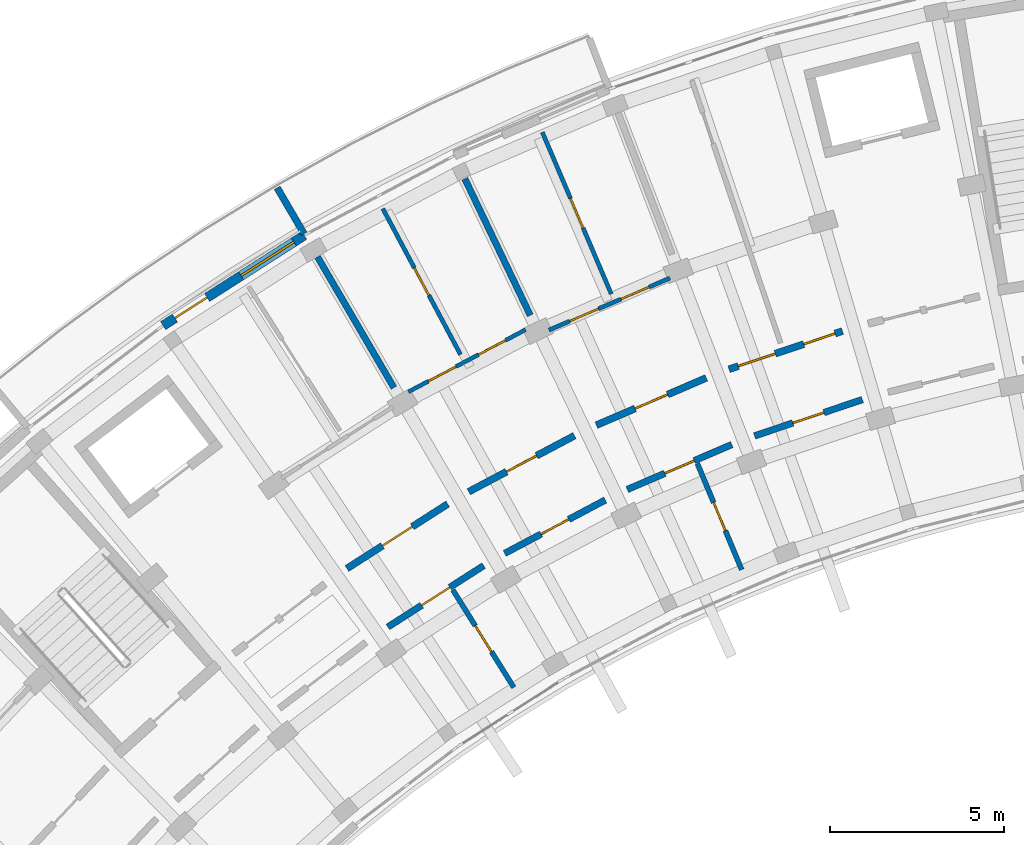
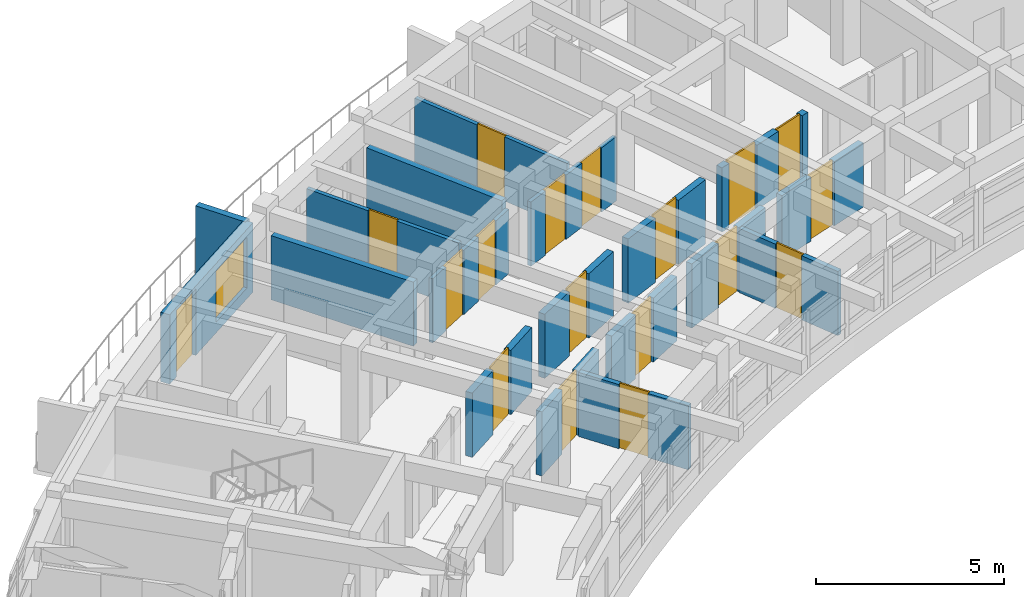
# One storey, part 31 of 50: 18 doors, 18 walls, 1 window, 19 openings.
"""IFC4 building model written with IfcOpenShell, lengths in metres."""

from ifc_helpers import new_model, si_unit, direction, frame, frame_2d, origin, place, context, subcontext, project, spatial, rectangle, extrude, material, layer, layer_set, type_object, element, fill, save


model = new_model("IFC4")

# Units and contexts
model_context = context("Model", 3, precision=1e-05, world=origin(), true_north=direction((0.0, 1.0)))
body_context = subcontext(model_context, "Body", "Model", "MODEL_VIEW")
ifc_project = project(units=[si_unit("LENGTHUNIT", "METRE"), si_unit("AREAUNIT", "SQUARE_METRE"), si_unit("VOLUMEUNIT", "CUBIC_METRE"), si_unit("PLANEANGLEUNIT", "RADIAN"), si_unit("MASSUNIT", "GRAM", prefix="KILO")], contexts=[model_context])

# Site, building, storey
site_placement = place(None, origin())
site = spatial("IfcSite", under=ifc_project, at=site_placement, CompositionType="ELEMENT")
building_placement = place(site_placement, origin())
building = spatial("IfcBuilding", under=site, at=building_placement, Name="Zimvara Arc Housing Community", CompositionType="ELEMENT")
storey_placement = place(building_placement, frame((0.0, 0.0, 26.699951171875)))
storey = spatial("IfcBuildingStorey", under=building, at=storey_placement, Name="L08", CompositionType="ELEMENT", Elevation=26.699951171875)

# Wall, openings, door, window
ifc_material_1 = material(Name="Board-Marked Fair-Faced Concrete C40/50", Category="concrete")
ifc_layer_1 = layer(ifc_material_1, 0.27490234375)
ifc_layer_set_1 = layer_set([ifc_layer_1], Name="Board-Marked Fair-Faced Concrete C40/50")
wall_type_1 = type_object("IfcWallType", Name="EWL-CONC-275", PredefinedType="SOLIDWALL", material=ifc_layer_set_1)
wall_1_placement = place(storey_placement, frame((10.991943359375, 93.17578125, 0.0), z_axis=(0.0, 0.0, 1.0), x_axis=(0.84226218024, 0.539068103061, 0.0)))
wall_1 = element("IfcWall", 1, at=wall_1_placement, inside=storey, type_object=wall_type_1, Name="ewall:blkA:L08:out:b3", PredefinedType="SOLIDWALL", context=body_context, shape_type="SweptSolid", body=[
    extrude(rectangle(XDim=4.808837890625, YDim=0.27490234375, at=frame_2d((2.404296875, 0.0))), origin(), (0.0, 0.0, 1.0), 2.25),
])
opening_1_placement = place(wall_1_placement, frame((0.39990234375, 0.0, 0.0)))
opening_1 = element("IfcOpeningElement", 2, at=opening_1_placement, cuts=wall_1, Name="Opening ED06", PredefinedType="OPENING", context=body_context, shape_type="SweptSolid", body=[
    extrude(rectangle(XDim=1.10009765625, YDim=2.14990234375, at=frame_2d((0.550048828125, 1.074951171875))), frame((0.0, 0.1474609375, 0.0), z_axis=(0.0, -1.0, 0.0), x_axis=(1.0, 0.0, 0.0)), (0.0, 0.0, 1.0), 0.294921875),
])
opening_2_placement = place(wall_1_placement, frame((2.658935546875, 0.0, 0.35009765625)))
opening_2 = element("IfcOpeningElement", 3, at=opening_2_placement, cuts=wall_1, Name="Opening W08", PredefinedType="OPENING", context=body_context, shape_type="SweptSolid", body=[
    extrude(rectangle(XDim=1.800048828125, YDim=1.64990234375, at=frame_2d((0.89990234375, 0.824951171875))), frame((0.0, 0.1474609375, 0.0), z_axis=(0.0, -1.0, 0.0), x_axis=(1.0, 0.0, 0.0)), (0.0, 0.0, 1.0), 0.294921875),
])
ifc_material_2 = material(Name="Anodised Aluminium AW-6063", Category="aluminium")
door_type_1 = type_object("IfcDoorType", Name="EDR-TERR-1100x2150", OperationType="NOTDEFINED", PredefinedType="DOOR", material=ifc_material_2)
door_1_placement = place(opening_1_placement, origin())
door_1 = element("IfcDoor", 4, at=door_1_placement, inside=storey, type_object=door_type_1, Name="edoor:blkA:L08:bal_out:b3", OperationType="SINGLE_SWING_LEFT", OverallHeight=2.14990234375, OverallWidth=1.10009765625, PredefinedType="DOOR", context=body_context, shape_type="SweptSolid", body=[
    extrude(rectangle(XDim=1.10009765625, YDim=2.14990234375, at=frame_2d((0.550048828125, 1.074951171875))), frame((0.0, 0.02490234375, 0.0), z_axis=(0.0, -1.0, 0.0), x_axis=(1.0, 0.0, 0.0)), (0.0, 0.0, 1.0), 0.050048828125),
])
fill(opening_1, door_1)
ifc_material_3 = material(Name="Solar Control Low-E Double Glazing", Category="glass")
window_type = type_object("IfcWindowType", Name="WIN-RES-1800x1650", PartitioningType="TRIPLE_PANEL_VERTICAL", PredefinedType="WINDOW", material=ifc_material_3)
window_placement = place(opening_2_placement, origin())
window = element("IfcWindow", 5, at=window_placement, inside=storey, type_object=window_type, Name="win:blkA:L08:out:b3:balw", OverallHeight=1.64990234375, OverallWidth=1.800048828125, PartitioningType="TRIPLE_PANEL_VERTICAL", PredefinedType="WINDOW", context=body_context, shape_type="SweptSolid", body=[
    extrude(rectangle(XDim=1.800048828125, YDim=1.64990234375, at=frame_2d((0.89990234375, 0.824951171875))), frame((0.0, 0.030029296875, 0.0), z_axis=(0.0, -1.0, 0.0), x_axis=(1.0, 0.0, 0.0)), (0.0, 0.0, 1.0), 0.06005859375),
])
fill(opening_2, window)

# Wall
ifc_material_4 = material(Name="Board-Marked Fair-Faced Concrete C35/45", Category="concrete")
ifc_layer_2 = layer(ifc_material_4, 0.195068359375)
ifc_layer_set_2 = layer_set([ifc_layer_2], Name="Board-Marked Fair-Faced Concrete C35/45")
wall_type_2 = type_object("IfcWallType", Name="EWL-PARA-195", PredefinedType="PARAPET", material=ifc_layer_set_2)
wall_2_placement = place(storey_placement, frame((15.038818359375, 95.8134765625, 0.0), z_axis=(0.0, 0.0, 1.0), x_axis=(-0.504228145431, 0.863570481985, 0.0)))
element("IfcWall", 6, at=wall_2_placement, inside=storey, type_object=wall_type_2, Name="finwall:blkA:L08:out:b4", PredefinedType="PARAPET", context=body_context, shape_type="SweptSolid", body=[
    extrude(rectangle(XDim=1.530029296875, YDim=0.195068359375, at=frame_2d((0.76513671875, 0.0))), origin(), (0.0, 0.0, 1.0), 2.25),
])

# Wall, opening, door
ifc_material_5 = material(Name="Concrete C35/45", Category="concrete")
ifc_layer_3 = layer(ifc_material_5, 0.18994140625)
ifc_layer_set_3 = layer_set([ifc_layer_3], Name="Concrete C35/45")
wall_type_3 = type_object("IfcWallType", Name="IWL-CORR-190", PredefinedType="SOLIDWALL", material=ifc_layer_set_3)
wall_3_placement = place(storey_placement, frame((17.44677734375, 84.518798828125, 0.0), z_axis=(0.0, 0.0, 1.0), x_axis=(0.842225276846, 0.539125758095, 0.0)))
wall_3 = element("IfcWall", 7, at=wall_3_placement, inside=storey, type_object=wall_type_3, Name="iwall:blkA:L08:corr_in:b3", PredefinedType="SOLIDWALL", context=body_context, shape_type="SweptSolid", body=[
    extrude(rectangle(XDim=3.2685546875, YDim=0.18994140625, at=frame_2d((1.63427734375, 0.0))), origin(), (0.0, 0.0, 1.0), 2.080078125),
])
opening_3_placement = place(wall_3_placement, frame((1.154296875, 0.0, 0.0)))
opening_3 = element("IfcOpeningElement", 8, at=opening_3_placement, cuts=wall_3, Name="Opening D04", PredefinedType="OPENING", context=body_context, shape_type="SweptSolid", body=[
    extrude(rectangle(XDim=0.9599609375, YDim=2.10009765625, at=frame_2d((0.47998046875, 1.050048828125))), frame((0.0, 0.10498046875, 0.0), z_axis=(0.0, -1.0, 0.0), x_axis=(1.0, 0.0, 0.0)), (0.0, 0.0, 1.0), 0.2099609375),
])
ifc_material_6 = material(Name="Mozambican Hardwood", Category="wood")
door_type_2 = type_object("IfcDoorType", Name="IDR-RM-0960x2100", OperationType="NOTDEFINED", PredefinedType="DOOR", material=ifc_material_6)
door_2_placement = place(opening_3_placement, origin())
door_2 = element("IfcDoor", 9, at=door_2_placement, inside=storey, type_object=door_type_2, Name="idoor:blkA:L08:in_rm:b3", OperationType="SINGLE_SWING_RIGHT", OverallHeight=2.10009765625, OverallWidth=0.9599609375, PredefinedType="DOOR", context=body_context, shape_type="SweptSolid", body=[
    extrude(rectangle(XDim=0.9599609375, YDim=2.10009765625, at=frame_2d((0.47998046875, 1.050048828125))), frame((0.0, 0.02490234375, 0.0), z_axis=(0.0, -1.0, 0.0), x_axis=(1.0, 0.0, 0.0)), (0.0, 0.0, 1.0), 0.050048828125),
])
fill(opening_3, door_2)

wall_4_placement = place(storey_placement, frame((20.8037109375, 86.633544921875, 0.0), z_axis=(0.0, 0.0, 1.0), x_axis=(0.883444301944, 0.468536194293, 0.0)))
wall_4 = element("IfcWall", 10, at=wall_4_placement, inside=storey, type_object=wall_type_3, Name="iwall:blkA:L08:corr_in:b4", PredefinedType="SOLIDWALL", context=body_context, shape_type="SweptSolid", body=[
    extrude(rectangle(XDim=3.268798828125, YDim=0.18994140625, at=frame_2d((1.63427734375, 0.0))), origin(), (0.0, 0.0, 1.0), 2.080078125),
])
opening_4_placement = place(wall_4_placement, frame((1.184326171875, 0.0, 0.0)))
opening_4 = element("IfcOpeningElement", 11, at=opening_4_placement, cuts=wall_4, Name="Opening D01", PredefinedType="OPENING", context=body_context, shape_type="SweptSolid", body=[
    extrude(rectangle(XDim=0.89990234375, YDim=2.10009765625, at=frame_2d((0.449951171875, 1.050048828125))), frame((0.0, 0.10498046875, 0.0), z_axis=(0.0, -1.0, 0.0), x_axis=(1.0, 0.0, 0.0)), (0.0, 0.0, 1.0), 0.2099609375),
])
ifc_material_7 = material(Name="Mozambican Hardwood", Category="wood")
door_type_3 = type_object("IfcDoorType", Name="IDR-RM-0900x2100", OperationType="NOTDEFINED", PredefinedType="DOOR", material=ifc_material_7)
door_3_placement = place(opening_4_placement, origin())
door_3 = element("IfcDoor", 12, at=door_3_placement, inside=storey, type_object=door_type_3, Name="idoor:blkA:L08:in_rm:b4", OperationType="SINGLE_SWING_RIGHT", OverallHeight=2.10009765625, OverallWidth=0.89990234375, PredefinedType="DOOR", context=body_context, shape_type="SweptSolid", body=[
    extrude(rectangle(XDim=0.89990234375, YDim=2.10009765625, at=frame_2d((0.449951171875, 1.050048828125))), frame((0.0, 0.02490234375, 0.0), z_axis=(0.0, -1.0, 0.0), x_axis=(1.0, 0.0, 0.0)), (0.0, 0.0, 1.0), 0.050048828125),
])
fill(opening_4, door_3)

wall_5_placement = place(storey_placement, frame((24.322265625, 88.46728515625, 0.0), z_axis=(0.0, 0.0, 1.0), x_axis=(0.918723391052, 0.394901672235, 0.0)))
wall_5 = element("IfcWall", 13, at=wall_5_placement, inside=storey, type_object=wall_type_3, Name="iwall:blkA:L08:corr_in:b5", PredefinedType="SOLIDWALL", context=body_context, shape_type="SweptSolid", body=[
    extrude(rectangle(XDim=3.2685546875, YDim=0.18994140625, at=frame_2d((1.63427734375, 0.0))), origin(), (0.0, 0.0, 1.0), 2.080078125),
])
opening_5_placement = place(wall_5_placement, frame((1.17431640625, 0.0, 0.0)))
opening_5 = element("IfcOpeningElement", 14, at=opening_5_placement, cuts=wall_5, Name="Opening D02", PredefinedType="OPENING", context=body_context, shape_type="SweptSolid", body=[
    extrude(rectangle(XDim=0.919921875, YDim=2.10009765625, at=frame_2d((0.4599609375, 1.050048828125))), frame((0.0, 0.10498046875, 0.0), z_axis=(0.0, -1.0, 0.0), x_axis=(1.0, 0.0, 0.0)), (0.0, 0.0, 1.0), 0.2099609375),
])
ifc_material_8 = material(Name="Mozambican Hardwood", Category="wood")
door_type_4 = type_object("IfcDoorType", Name="IDR-RM-0920x2100", OperationType="NOTDEFINED", PredefinedType="DOOR", material=ifc_material_8)
door_4_placement = place(opening_5_placement, origin())
door_4 = element("IfcDoor", 15, at=door_4_placement, inside=storey, type_object=door_type_4, Name="idoor:blkA:L08:in_rm:b5", OperationType="SINGLE_SWING_LEFT", OverallHeight=2.10009765625, OverallWidth=0.919921875, PredefinedType="DOOR", context=body_context, shape_type="SweptSolid", body=[
    extrude(rectangle(XDim=0.919921875, YDim=2.10009765625, at=frame_2d((0.4599609375, 1.050048828125))), frame((0.0, 0.02490234375, 0.0), z_axis=(0.0, -1.0, 0.0), x_axis=(1.0, 0.0, 0.0)), (0.0, 0.0, 1.0), 0.050048828125),
])
fill(opening_5, door_4)

wall_6_placement = place(storey_placement, frame((27.978515625, 90.0078125, 0.0), z_axis=(0.0, 0.0, 1.0), x_axis=(0.94787351033, 0.318646839643, 0.0)))
wall_6 = element("IfcWall", 16, at=wall_6_placement, inside=storey, type_object=wall_type_3, Name="iwall:blkA:L08:corr_in:b6", PredefinedType="SOLIDWALL", context=body_context, shape_type="SweptSolid", body=[
    extrude(rectangle(XDim=3.2685546875, YDim=0.18994140625, at=frame_2d((1.63427734375, 0.0))), origin(), (0.0, 0.0, 1.0), 2.080078125),
])
opening_6_placement = place(wall_6_placement, frame((1.164306640625, 0.0, 0.0)))
opening_6 = element("IfcOpeningElement", 17, at=opening_6_placement, cuts=wall_6, Name="Opening D03", PredefinedType="OPENING", context=body_context, shape_type="SweptSolid", body=[
    extrude(rectangle(XDim=0.93994140625, YDim=2.10009765625, at=frame_2d((0.469970703125, 1.050048828125))), frame((0.0, 0.10498046875, 0.0), z_axis=(0.0, -1.0, 0.0), x_axis=(1.0, 0.0, 0.0)), (0.0, 0.0, 1.0), 0.2099609375),
])
ifc_material_9 = material(Name="Mozambican Hardwood", Category="wood")
door_type_5 = type_object("IfcDoorType", Name="IDR-RM-0940x2100", OperationType="NOTDEFINED", PredefinedType="DOOR", material=ifc_material_9)
door_5_placement = place(opening_6_placement, origin())
door_5 = element("IfcDoor", 18, at=door_5_placement, inside=storey, type_object=door_type_5, Name="idoor:blkA:L08:in_rm:b6", OperationType="SINGLE_SWING_RIGHT", OverallHeight=2.10009765625, OverallWidth=0.93994140625, PredefinedType="DOOR", context=body_context, shape_type="SweptSolid", body=[
    extrude(rectangle(XDim=0.93994140625, YDim=2.10009765625, at=frame_2d((0.469970703125, 1.050048828125))), frame((0.0, 0.02490234375, 0.0), z_axis=(0.0, -1.0, 0.0), x_axis=(1.0, 0.0, 0.0)), (0.0, 0.0, 1.0), 0.050048828125),
])
fill(opening_6, door_5)

ifc_material_10 = material(Name="Concrete C35/45", Category="concrete")
ifc_layer_4 = layer(ifc_material_10, 0.199951171875)
ifc_layer_set_4 = layer_set([ifc_layer_4], Name="Concrete C35/45")
wall_type_4 = type_object("IfcWallType", Name="IWL-CORR-200", PredefinedType="SOLIDWALL", material=ifc_layer_set_4)
wall_7_placement = place(storey_placement, frame((16.272216796875, 86.198974609375, 0.0), z_axis=(0.0, 0.0, 1.0), x_axis=(0.842257205985, 0.539075874963, 0.0)))
wall_7 = element("IfcWall", 19, at=wall_7_placement, inside=storey, type_object=wall_type_4, Name="iwall:blkA:L08:corr_out:b3", PredefinedType="SOLIDWALL", context=body_context, shape_type="SweptSolid", body=[
    extrude(rectangle(XDim=3.43603515625, YDim=0.199951171875, at=frame_2d((1.718017578125, 0.0))), origin(), (0.0, 0.0, 1.0), 2.080078125),
])
opening_7_placement = place(wall_7_placement, frame((1.2080078125, 0.0, 0.0)))
opening_7 = element("IfcOpeningElement", 20, at=opening_7_placement, cuts=wall_7, Name="Opening FD-FL2", PredefinedType="OPENING", context=body_context, shape_type="SweptSolid", body=[
    extrude(rectangle(XDim=1.02001953125, YDim=2.14990234375, at=frame_2d((0.510009765625, 1.074951171875))), frame((0.0, 0.10986328125, 0.0), z_axis=(0.0, -1.0, 0.0), x_axis=(1.0, 0.0, 0.0)), (0.0, 0.0, 1.0), 0.219970703125),
])
ifc_material_11 = material(Name="Mozambican Hardwood", Category="wood")
door_type_6 = type_object("IfcDoorType", Name="IDR-FLAT-1020x2150", OperationType="NOTDEFINED", PredefinedType="DOOR", material=ifc_material_11)
door_6_placement = place(opening_7_placement, origin())
door_6 = element("IfcDoor", 21, at=door_6_placement, inside=storey, type_object=door_type_6, Name="idoor:blkA:L08:flat:b3", OperationType="SINGLE_SWING_LEFT", OverallHeight=2.14990234375, OverallWidth=1.02001953125, PredefinedType="DOOR", context=body_context, shape_type="SweptSolid", body=[
    extrude(rectangle(XDim=1.02001953125, YDim=2.14990234375, at=frame_2d((0.510009765625, 1.074951171875))), frame((0.0, 0.02490234375, 0.0), z_axis=(0.0, -1.0, 0.0), x_axis=(1.0, 0.0, 0.0)), (0.0, 0.0, 1.0), 0.050048828125),
])
fill(opening_7, door_6)

wall_8_placement = place(storey_placement, frame((19.770263671875, 88.40380859375, 0.0), z_axis=(0.0, 0.0, 1.0), x_axis=(0.883410853063, 0.468599258099, 0.0)))
wall_8 = element("IfcWall", 22, at=wall_8_placement, inside=storey, type_object=wall_type_4, Name="iwall:blkA:L08:corr_out:b4", PredefinedType="SOLIDWALL", context=body_context, shape_type="SweptSolid", body=[
    extrude(rectangle(XDim=3.43603515625, YDim=0.199951171875, at=frame_2d((1.718017578125, 0.0))), origin(), (0.0, 0.0, 1.0), 2.080078125),
])
opening_8_placement = place(wall_8_placement, frame((1.22802734375, 0.0, 0.0)))
opening_8 = element("IfcOpeningElement", 23, at=opening_8_placement, cuts=wall_8, Name="Opening FD-FL1", PredefinedType="OPENING", context=body_context, shape_type="SweptSolid", body=[
    extrude(rectangle(XDim=0.97998046875, YDim=2.14990234375, at=frame_2d((0.489990234375, 1.074951171875))), frame((0.0, 0.10986328125, 0.0), z_axis=(0.0, -1.0, 0.0), x_axis=(1.0, 0.0, 0.0)), (0.0, 0.0, 1.0), 0.219970703125),
])
ifc_material_12 = material(Name="Mozambican Hardwood", Category="wood")
door_type_7 = type_object("IfcDoorType", Name="IDR-FLAT-0980x2150", OperationType="NOTDEFINED", PredefinedType="DOOR", material=ifc_material_12)
door_7_placement = place(opening_8_placement, origin())
door_7 = element("IfcDoor", 24, at=door_7_placement, inside=storey, type_object=door_type_7, Name="idoor:blkA:L08:flat:b4", OperationType="SINGLE_SWING_LEFT", OverallHeight=2.14990234375, OverallWidth=0.97998046875, PredefinedType="DOOR", context=body_context, shape_type="SweptSolid", body=[
    extrude(rectangle(XDim=0.97998046875, YDim=2.14990234375, at=frame_2d((0.489990234375, 1.074951171875))), frame((0.0, 0.02490234375, 0.0), z_axis=(0.0, -1.0, 0.0), x_axis=(1.0, 0.0, 0.0)), (0.0, 0.0, 1.0), 0.050048828125),
])
fill(opening_8, door_7)

wall_9_placement = place(storey_placement, frame((23.4365234375, 90.31591796875, 0.0), z_axis=(0.0, 0.0, 1.0), x_axis=(0.918718172399, 0.394913813008, 0.0)))
wall_9 = element("IfcWall", 25, at=wall_9_placement, inside=storey, type_object=wall_type_4, Name="iwall:blkA:L08:corr_out:b5", PredefinedType="SOLIDWALL", context=body_context, shape_type="SweptSolid", body=[
    extrude(rectangle(XDim=3.43603515625, YDim=0.199951171875, at=frame_2d((1.718017578125, 0.0))), origin(), (0.0, 0.0, 1.0), 2.080078125),
])
opening_9_placement = place(wall_9_placement, frame((1.2080078125, 0.0, 0.0)))
opening_9 = element("IfcOpeningElement", 26, at=opening_9_placement, cuts=wall_9, Name="Opening FD-FL2", PredefinedType="OPENING", context=body_context, shape_type="SweptSolid", body=[
    extrude(rectangle(XDim=1.02001953125, YDim=2.14990234375, at=frame_2d((0.510009765625, 1.074951171875))), frame((0.0, 0.10986328125, 0.0), z_axis=(0.0, -1.0, 0.0), x_axis=(1.0, 0.0, 0.0)), (0.0, 0.0, 1.0), 0.219970703125),
])
door_8_placement = place(opening_9_placement, origin())
door_8 = element("IfcDoor", 27, at=door_8_placement, inside=storey, type_object=door_type_6, Name="idoor:blkA:L08:flat:b5", OperationType="SINGLE_SWING_RIGHT", OverallHeight=2.14990234375, OverallWidth=1.02001953125, PredefinedType="DOOR", context=body_context, shape_type="SweptSolid", body=[
    extrude(rectangle(XDim=1.02001953125, YDim=2.14990234375, at=frame_2d((0.510009765625, 1.074951171875))), frame((0.0, 0.02490234375, 0.0), z_axis=(0.0, -1.0, 0.0), x_axis=(1.0, 0.0, 0.0)), (0.0, 0.0, 1.0), 0.050048828125),
])
fill(opening_9, door_8)

# Wall, openings, doors
wall_10_placement = place(storey_placement, frame((27.24658203125, 91.922607421875, 0.0), z_axis=(0.0, 0.0, 1.0), x_axis=(0.947863007629, 0.318678080151, 0.0)))
wall_10 = element("IfcWall", 28, at=wall_10_placement, inside=storey, type_object=wall_type_4, Name="iwall:blkA:L08:corr_out:b6", PredefinedType="SOLIDWALL", context=body_context, shape_type="SweptSolid", body=[
    extrude(rectangle(XDim=3.43603515625, YDim=0.199951171875, at=frame_2d((1.718017578125, 0.0))), origin(), (0.0, 0.0, 1.0), 2.080078125),
])
opening_10_placement = place(wall_10_placement, frame((0.280029296875, 0.0, 0.0)))
opening_10 = element("IfcOpeningElement", 29, at=opening_10_placement, cuts=wall_10, Name="Opening D07", PredefinedType="OPENING", context=body_context, shape_type="SweptSolid", body=[
    extrude(rectangle(XDim=1.1201171875, YDim=2.14990234375, at=frame_2d((0.56005859375, 1.074951171875))), frame((0.0, 0.10986328125, 0.0), z_axis=(0.0, -1.0, 0.0), x_axis=(1.0, 0.0, 0.0)), (0.0, 0.0, 1.0), 0.219970703125),
])
opening_11_placement = place(wall_10_placement, frame((2.26611328125, 0.0, 0.0)))
opening_11 = element("IfcOpeningElement", 30, at=opening_11_placement, cuts=wall_10, Name="Opening D06", PredefinedType="OPENING", context=body_context, shape_type="SweptSolid", body=[
    extrude(rectangle(XDim=0.949951171875, YDim=2.10009765625, at=frame_2d((0.47509765625, 1.050048828125))), frame((0.0, 0.10986328125, 0.0), z_axis=(0.0, -1.0, 0.0), x_axis=(1.0, 0.0, 0.0)), (0.0, 0.0, 1.0), 0.219970703125),
])
ifc_material_13 = material(Name="Mozambican Hardwood", Category="wood")
door_type_8 = type_object("IfcDoorType", Name="IDR-AMN-1120x2150", OperationType="NOTDEFINED", PredefinedType="DOOR", material=ifc_material_13)
door_9_placement = place(opening_10_placement, origin())
door_9 = element("IfcDoor", 31, at=door_9_placement, inside=storey, type_object=door_type_8, Name="idoor:blkA:L08:amen:b6", OperationType="SINGLE_SWING_RIGHT", OverallHeight=2.14990234375, OverallWidth=1.1201171875, PredefinedType="DOOR", context=body_context, shape_type="SweptSolid", body=[
    extrude(rectangle(XDim=1.1201171875, YDim=2.14990234375, at=frame_2d((0.56005859375, 1.074951171875))), frame((0.0, 0.02490234375, 0.0), z_axis=(0.0, -1.0, 0.0), x_axis=(1.0, 0.0, 0.0)), (0.0, 0.0, 1.0), 0.050048828125),
])
fill(opening_10, door_9)
ifc_material_14 = material(Name="Mozambican Hardwood", Category="wood")
door_type_9 = type_object("IfcDoorType", Name="IDR-AWC-0950x2100", OperationType="NOTDEFINED", PredefinedType="DOOR", material=ifc_material_14)
door_10_placement = place(opening_11_placement, origin())
door_10 = element("IfcDoor", 32, at=door_10_placement, inside=storey, type_object=door_type_9, Name="idoor:blkA:L08:cawc:b6", OperationType="SINGLE_SWING_LEFT", OverallHeight=2.10009765625, OverallWidth=0.949951171875, PredefinedType="DOOR", context=body_context, shape_type="SweptSolid", body=[
    extrude(rectangle(XDim=0.949951171875, YDim=2.10009765625, at=frame_2d((0.47509765625, 1.050048828125))), frame((0.0, 0.02490234375, 0.0), z_axis=(0.0, -1.0, 0.0), x_axis=(1.0, 0.0, 0.0)), (0.0, 0.0, 1.0), 0.050048828125),
])
fill(opening_11, door_10)

# Walls
ifc_material_15 = material(Name="Concrete C35/45", Category="concrete")
ifc_layer_5 = layer(ifc_material_15, 0.18505859375)
ifc_layer_set_5 = layer_set([ifc_layer_5], Name="Concrete C35/45")
wall_type_5 = type_object("IfcWallType", Name="IWL-FLAT-185", PredefinedType="SOLIDWALL", material=ifc_layer_set_5)
for number, where, z_axis, x_axis, name in (
    (33, (17.62060546875, 91.391845703125, 0.0), (0.0, 0.0, 1.0), (-0.504216452091, 0.863577309475, 0.0), "iwall:blkA:L08:party:b4"),
    (34, (21.537841796875, 93.469482421875, 0.0), (0.0, 0.0, 1.0), (-0.432086898897, 0.901831975371, 0.0), "iwall:blkA:L08:party:b5"),
):
    element("IfcWall", number, at=place(storey_placement, frame(where, z_axis=z_axis, x_axis=x_axis)), inside=storey, type_object=wall_type_5, Name=name, PredefinedType="SOLIDWALL", context=body_context, shape_type="SweptSolid", body=[
        extrude(rectangle(XDim=4.35009765625, YDim=0.18505859375, at=frame_2d((2.175048828125, 0.0))), origin(), (0.0, 0.0, 1.0), 2.080078125),
    ])

# Wall, openings, doors
ifc_material_16 = material(Name="Painted Acoustic Plasterboard")
ifc_layer_6 = layer(ifc_material_16, 0.114990234375)
ifc_layer_set_6 = layer_set([ifc_layer_6], Name="Painted Acoustic Plasterboard")
wall_type_6 = type_object("IfcWallType", Name="IWL-PART-115", PredefinedType="PARTITIONING", material=ifc_layer_set_6)
wall_11_placement = place(storey_placement, frame((18.036865234375, 91.2734375, 0.0), z_axis=(0.0, 0.0, 1.0), x_axis=(0.883441603894, 0.468541281543, 0.0)))
wall_11 = element("IfcWall", 35, at=wall_11_placement, inside=storey, type_object=wall_type_6, Name="iwall:blkA:L08:srv:b4", PredefinedType="PARTITIONING", context=body_context, shape_type="SweptSolid", body=[
    extrude(rectangle(XDim=3.8095703125, YDim=0.114990234375, at=frame_2d((1.90478515625, 0.0))), origin(), (0.0, 0.0, 1.0), 2.080078125),
])
opening_12_placement = place(wall_11_placement, frame((0.64990234375, 0.0, 0.0)))
opening_12 = element("IfcOpeningElement", 36, at=opening_12_placement, cuts=wall_11, Name="Opening D01", PredefinedType="OPENING", context=body_context, shape_type="SweptSolid", body=[
    extrude(rectangle(XDim=0.89990234375, YDim=2.10009765625, at=frame_2d((0.449951171875, 1.050048828125))), frame((0.0, 0.0673828125, 0.0), z_axis=(0.0, -1.0, 0.0), x_axis=(1.0, 0.0, 0.0)), (0.0, 0.0, 1.0), 0.135009765625),
])
opening_13_placement = place(wall_11_placement, frame((2.279541015625, 0.0, 0.0)))
opening_13 = element("IfcOpeningElement", 37, at=opening_13_placement, cuts=wall_11, Name="Opening D05", PredefinedType="OPENING", context=body_context, shape_type="SweptSolid", body=[
    extrude(rectangle(XDim=0.8798828125, YDim=2.10009765625, at=frame_2d((0.43994140625, 1.050048828125))), frame((0.0, 0.0673828125, 0.0), z_axis=(0.0, -1.0, 0.0), x_axis=(1.0, 0.0, 0.0)), (0.0, 0.0, 1.0), 0.135009765625),
])
door_11_placement = place(opening_12_placement, origin())
door_11 = element("IfcDoor", 38, at=door_11_placement, inside=storey, type_object=door_type_3, Name="idoor:blkA:L08:kit_liv:b4", OperationType="SINGLE_SWING_LEFT", OverallHeight=2.10009765625, OverallWidth=0.89990234375, PredefinedType="DOOR", context=body_context, shape_type="SweptSolid", body=[
    extrude(rectangle(XDim=0.89990234375, YDim=2.10009765625, at=frame_2d((0.449951171875, 1.050048828125))), frame((0.0, 0.02490234375, 0.0), z_axis=(0.0, -1.0, 0.0), x_axis=(1.0, 0.0, 0.0)), (0.0, 0.0, 1.0), 0.050048828125),
])
fill(opening_12, door_11)
ifc_material_17 = material(Name="Mozambican Hardwood", Category="wood")
door_type_10 = type_object("IfcDoorType", Name="IDR-WC-0880x2100", OperationType="NOTDEFINED", PredefinedType="DOOR", material=ifc_material_17)
door_12_placement = place(opening_13_placement, origin())
door_12 = element("IfcDoor", 39, at=door_12_placement, inside=storey, type_object=door_type_10, Name="idoor:blkA:L08:bath_d:b4", OperationType="SINGLE_SWING_RIGHT", OverallHeight=2.10009765625, OverallWidth=0.8798828125, PredefinedType="DOOR", context=body_context, shape_type="SweptSolid", body=[
    extrude(rectangle(XDim=0.8798828125, YDim=2.10009765625, at=frame_2d((0.43994140625, 1.050048828125))), frame((0.0, 0.02490234375, 0.0), z_axis=(0.0, -1.0, 0.0), x_axis=(1.0, 0.0, 0.0)), (0.0, 0.0, 1.0), 0.050048828125),
])
fill(opening_13, door_12)

# Wall, opening, door
ifc_material_18 = material(Name="Painted Acoustic Plasterboard")
ifc_layer_7 = layer(ifc_material_18, 0.1201171875)
ifc_layer_set_7 = layer_set([ifc_layer_7], Name="Painted Acoustic Plasterboard")
wall_type_7 = type_object("IfcWallType", Name="IWL-PART-120", PredefinedType="PARTITIONING", material=ifc_layer_set_7)
wall_12_placement = place(storey_placement, frame((19.53271484375, 92.343994140625, 0.0), z_axis=(0.0, 0.0, 1.0), x_axis=(-0.469867814586, 0.882736787959, 0.0)))
wall_12 = element("IfcWall", 40, at=wall_12_placement, inside=storey, type_object=wall_type_7, Name="iwall:blkA:L08:bed_div:b4", PredefinedType="PARTITIONING", context=body_context, shape_type="SweptSolid", body=[
    extrude(rectangle(XDim=4.750244140625, YDim=0.1201171875, at=frame_2d((2.375, 0.0))), origin(), (0.0, 0.0, 1.0), 2.080078125),
])
opening_14_placement = place(wall_12_placement, frame((1.925048828125, 0.0, 0.0)))
opening_14 = element("IfcOpeningElement", 41, at=opening_14_placement, cuts=wall_12, Name="Opening D01", PredefinedType="OPENING", context=body_context, shape_type="SweptSolid", body=[
    extrude(rectangle(XDim=0.89990234375, YDim=2.10009765625, at=frame_2d((0.449951171875, 1.050048828125))), frame((0.0, 0.070068359375, 0.0), z_axis=(0.0, -1.0, 0.0), x_axis=(1.0, 0.0, 0.0)), (0.0, 0.0, 1.0), 0.14013671875),
])
door_13_placement = place(opening_14_placement, origin())
door_13 = element("IfcDoor", 42, at=door_13_placement, inside=storey, type_object=door_type_3, Name="idoor:blkA:L08:bed_d:b4", OperationType="SINGLE_SWING_LEFT", OverallHeight=2.10009765625, OverallWidth=0.89990234375, PredefinedType="DOOR", context=body_context, shape_type="SweptSolid", body=[
    extrude(rectangle(XDim=0.89990234375, YDim=2.10009765625, at=frame_2d((0.449951171875, 1.050048828125))), frame((0.0, 0.02490234375, 0.0), z_axis=(0.0, -1.0, 0.0), x_axis=(1.0, 0.0, 0.0)), (0.0, 0.0, 1.0), 0.050048828125),
])
fill(opening_14, door_13)

# Wall, openings, doors
wall_13_placement = place(storey_placement, frame((22.072509765625, 93.046875, 0.0), z_axis=(0.0, 0.0, 1.0), x_axis=(0.918737522346, 0.394868794707, 0.0)))
wall_13 = element("IfcWall", 43, at=wall_13_placement, inside=storey, type_object=wall_type_7, Name="iwall:blkA:L08:srv:b5", PredefinedType="PARTITIONING", context=body_context, shape_type="SweptSolid", body=[
    extrude(rectangle(XDim=3.78515625, YDim=0.1201171875, at=frame_2d((1.892578125, 0.0))), origin(), (0.0, 0.0, 1.0), 2.080078125),
])
opening_15_placement = place(wall_13_placement, frame((0.64990234375, 0.0, 0.0)))
opening_15 = element("IfcOpeningElement", 44, at=opening_15_placement, cuts=wall_13, Name="Opening D01", PredefinedType="OPENING", context=body_context, shape_type="SweptSolid", body=[
    extrude(rectangle(XDim=0.89990234375, YDim=2.10009765625, at=frame_2d((0.449951171875, 1.050048828125))), frame((0.0, 0.070068359375, 0.0), z_axis=(0.0, -1.0, 0.0), x_axis=(1.0, 0.0, 0.0)), (0.0, 0.0, 1.0), 0.14013671875),
])
opening_16_placement = place(wall_13_placement, frame((2.255126953125, 0.0, 0.0)))
opening_16 = element("IfcOpeningElement", 45, at=opening_16_placement, cuts=wall_13, Name="Opening D05", PredefinedType="OPENING", context=body_context, shape_type="SweptSolid", body=[
    extrude(rectangle(XDim=0.8798828125, YDim=2.10009765625, at=frame_2d((0.43994140625, 1.050048828125))), frame((0.0, 0.070068359375, 0.0), z_axis=(0.0, -1.0, 0.0), x_axis=(1.0, 0.0, 0.0)), (0.0, 0.0, 1.0), 0.14013671875),
])
door_14_placement = place(opening_15_placement, origin())
door_14 = element("IfcDoor", 46, at=door_14_placement, inside=storey, type_object=door_type_3, Name="idoor:blkA:L08:kit_liv:b5", OperationType="SINGLE_SWING_LEFT", OverallHeight=2.10009765625, OverallWidth=0.89990234375, PredefinedType="DOOR", context=body_context, shape_type="SweptSolid", body=[
    extrude(rectangle(XDim=0.89990234375, YDim=2.10009765625, at=frame_2d((0.449951171875, 1.050048828125))), frame((0.0, 0.02490234375, 0.0), z_axis=(0.0, -1.0, 0.0), x_axis=(1.0, 0.0, 0.0)), (0.0, 0.0, 1.0), 0.050048828125),
])
fill(opening_15, door_14)
door_15_placement = place(opening_16_placement, origin())
door_15 = element("IfcDoor", 47, at=door_15_placement, inside=storey, type_object=door_type_10, Name="idoor:blkA:L08:bath_d:b5", OperationType="SINGLE_SWING_RIGHT", OverallHeight=2.10009765625, OverallWidth=0.8798828125, PredefinedType="DOOR", context=body_context, shape_type="SweptSolid", body=[
    extrude(rectangle(XDim=0.8798828125, YDim=2.10009765625, at=frame_2d((0.43994140625, 1.050048828125))), frame((0.0, 0.02490234375, 0.0), z_axis=(0.0, -1.0, 0.0), x_axis=(1.0, 0.0, 0.0)), (0.0, 0.0, 1.0), 0.050048828125),
])
fill(opening_16, door_15)

# Wall, opening, door
wall_14_placement = place(storey_placement, frame((23.864013671875, 94.0830078125, 0.0), z_axis=(0.0, 0.0, 1.0), x_axis=(-0.392109841969, 0.919918404985, 0.0)))
wall_14 = element("IfcWall", 48, at=wall_14_placement, inside=storey, type_object=wall_type_7, Name="iwall:blkA:L08:bed_div:b5", PredefinedType="PARTITIONING", context=body_context, shape_type="SweptSolid", body=[
    extrude(rectangle(XDim=5.05029296875, YDim=0.1201171875, at=frame_2d((2.525146484375, 0.0))), origin(), (0.0, 0.0, 1.0), 2.080078125),
])
opening_17_placement = place(wall_14_placement, frame((2.06494140625, 0.0, 0.0)))
opening_17 = element("IfcOpeningElement", 49, at=opening_17_placement, cuts=wall_14, Name="Opening D02", PredefinedType="OPENING", context=body_context, shape_type="SweptSolid", body=[
    extrude(rectangle(XDim=0.919921875, YDim=2.10009765625, at=frame_2d((0.4599609375, 1.050048828125))), frame((0.0, 0.070068359375, 0.0), z_axis=(0.0, -1.0, 0.0), x_axis=(1.0, 0.0, 0.0)), (0.0, 0.0, 1.0), 0.14013671875),
])
door_16_placement = place(opening_17_placement, origin())
door_16 = element("IfcDoor", 50, at=door_16_placement, inside=storey, type_object=door_type_4, Name="idoor:blkA:L08:bed_d:b5", OperationType="SINGLE_SWING_LEFT", OverallHeight=2.10009765625, OverallWidth=0.919921875, PredefinedType="DOOR", context=body_context, shape_type="SweptSolid", body=[
    extrude(rectangle(XDim=0.919921875, YDim=2.10009765625, at=frame_2d((0.4599609375, 1.050048828125))), frame((0.0, 0.02490234375, 0.0), z_axis=(0.0, -1.0, 0.0), x_axis=(1.0, 0.0, 0.0)), (0.0, 0.0, 1.0), 0.050048828125),
])
fill(opening_17, door_16)

ifc_material_19 = material(Name="Painted Acoustic Plasterboard")
ifc_layer_8 = layer(ifc_material_19, 0.14501953125)
ifc_layer_set_8 = layer_set([ifc_layer_8], Name="Painted Acoustic Plasterboard")
wall_type_8 = type_object("IfcWallType", Name="IWL-WET-145", PredefinedType="PARTITIONING", material=ifc_layer_set_8)
wall_15_placement = place(storey_placement, frame((21.06396484375, 82.782958984375, 0.0), z_axis=(0.0, 0.0, 1.0), x_axis=(-0.53015188203, 0.847902696057, 0.0)))
wall_15 = element("IfcWall", 51, at=wall_15_placement, inside=storey, type_object=wall_type_8, Name="iwall:blkA:L08:ens:b3", PredefinedType="PARTITIONING", context=body_context, shape_type="SweptSolid", body=[
    extrude(rectangle(XDim=3.300048828125, YDim=0.14501953125, at=frame_2d((1.64990234375, 0.0))), origin(), (0.0, 0.0, 1.0), 2.080078125),
])
opening_18_placement = place(wall_15_placement, frame((1.2099609375, 0.0, 0.0)))
opening_18 = element("IfcOpeningElement", 52, at=opening_18_placement, cuts=wall_15, Name="Opening D05", PredefinedType="OPENING", context=body_context, shape_type="SweptSolid", body=[
    extrude(rectangle(XDim=0.8798828125, YDim=2.10009765625, at=frame_2d((0.43994140625, 1.050048828125))), frame((0.0, 0.08251953125, 0.0), z_axis=(0.0, -1.0, 0.0), x_axis=(1.0, 0.0, 0.0)), (0.0, 0.0, 1.0), 0.1650390625),
])
door_17_placement = place(opening_18_placement, origin())
door_17 = element("IfcDoor", 53, at=door_17_placement, inside=storey, type_object=door_type_10, Name="idoor:blkA:L08:ens_d:b3", OperationType="SINGLE_SWING_LEFT", OverallHeight=2.10009765625, OverallWidth=0.8798828125, PredefinedType="DOOR", context=body_context, shape_type="SweptSolid", body=[
    extrude(rectangle(XDim=0.8798828125, YDim=2.10009765625, at=frame_2d((0.43994140625, 1.050048828125))), frame((0.0, 0.02490234375, 0.0), z_axis=(0.0, -1.0, 0.0), x_axis=(1.0, 0.0, 0.0)), (0.0, 0.0, 1.0), 0.050048828125),
])
fill(opening_18, door_17)

wall_16_placement = place(storey_placement, frame((27.60888671875, 86.166259765625, 0.0), z_axis=(0.0, 0.0, 1.0), x_axis=(-0.385151143297, 0.922853507777, 0.0)))
wall_16 = element("IfcWall", 54, at=wall_16_placement, inside=storey, type_object=wall_type_8, Name="iwall:blkA:L08:ens:b5", PredefinedType="PARTITIONING", context=body_context, shape_type="SweptSolid", body=[
    extrude(rectangle(XDim=3.300048828125, YDim=0.14501953125, at=frame_2d((1.64990234375, 0.0))), origin(), (0.0, 0.0, 1.0), 2.080078125),
])
opening_19_placement = place(wall_16_placement, frame((1.2099609375, 0.0, 0.0)))
opening_19 = element("IfcOpeningElement", 55, at=opening_19_placement, cuts=wall_16, Name="Opening D05", PredefinedType="OPENING", context=body_context, shape_type="SweptSolid", body=[
    extrude(rectangle(XDim=0.8798828125, YDim=2.10009765625, at=frame_2d((0.43994140625, 1.050048828125))), frame((0.0, 0.08251953125, 0.0), z_axis=(0.0, -1.0, 0.0), x_axis=(1.0, 0.0, 0.0)), (0.0, 0.0, 1.0), 0.1650390625),
])
door_18_placement = place(opening_19_placement, origin())
door_18 = element("IfcDoor", 56, at=door_18_placement, inside=storey, type_object=door_type_10, Name="idoor:blkA:L08:ens_d:b5", OperationType="SINGLE_SWING_RIGHT", OverallHeight=2.10009765625, OverallWidth=0.8798828125, PredefinedType="DOOR", context=body_context, shape_type="SweptSolid", body=[
    extrude(rectangle(XDim=0.8798828125, YDim=2.10009765625, at=frame_2d((0.43994140625, 1.050048828125))), frame((0.0, 0.02490234375, 0.0), z_axis=(0.0, -1.0, 0.0), x_axis=(1.0, 0.0, 0.0)), (0.0, 0.0, 1.0), 0.050048828125),
])
fill(opening_19, door_18)

save(model, "model.ifc")
